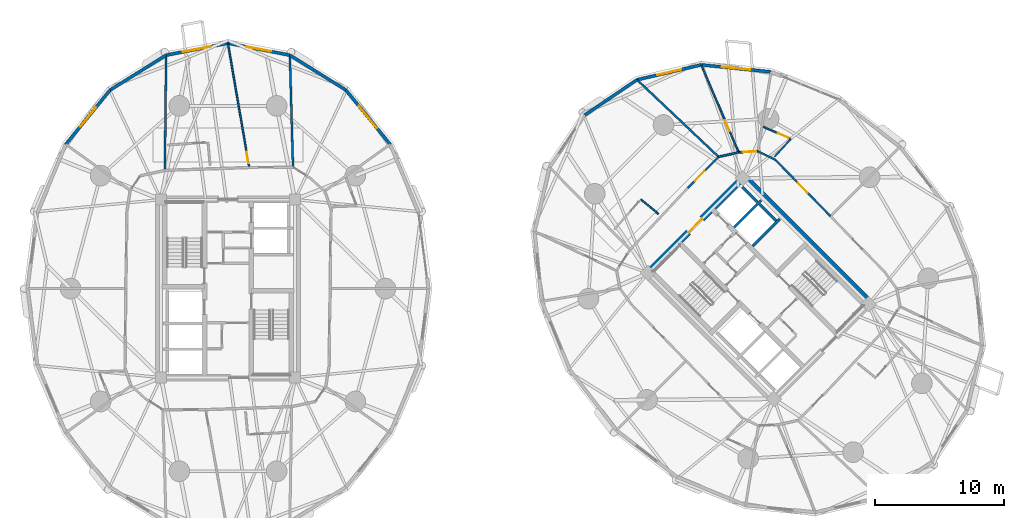
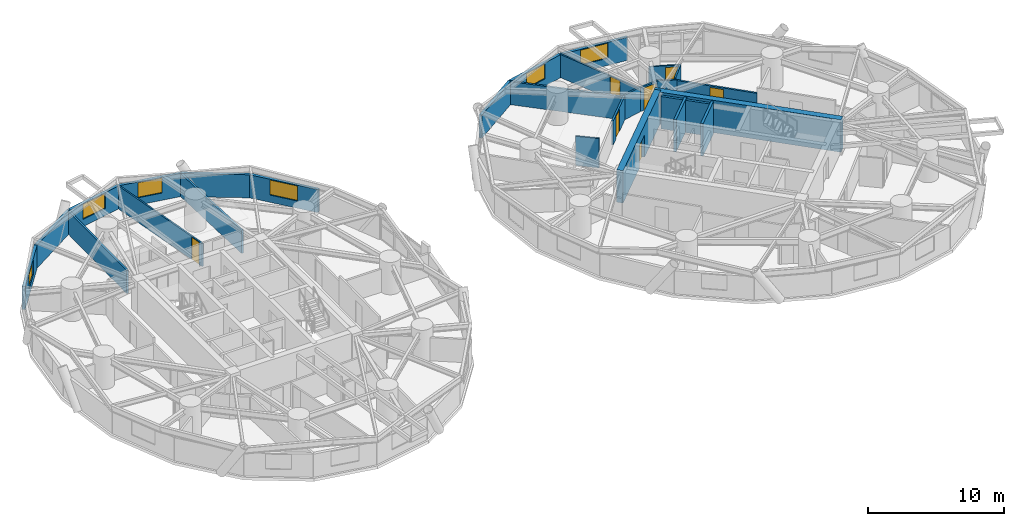
# One storey, part 14 of 18: 28 walls, 7 doors, 6 windows, 13 openings.
"""IFC4 building model written with IfcOpenShell, lengths in metres."""

import ifcopenshell
import ifcopenshell.guid

model = None  # the IFC model being written
_history = None  # IfcOwnerHistory: only IFC2X3 demands one
_inside = {}  # id of a spatial element -> (the spatial element, [elements in it])
_under = {}  # id of a project, library or spatial element -> (it, [spatial elements below it])
_declared = {}  # id of a project -> (the project, [libraries it declares])
_typed = {}  # id of a type object -> (the type object, [elements of that type])
_made_of = {}  # id of a material, layer set ... -> (it, [elements and type objects made of it])


def new_model(schema):
    """Start an empty IFC model of exactly this schema.

    Asked for "IFC4X3", IfcOpenShell would pick the latest addendum, in which some entities
    have other attributes; the version numbers below select the first issue.
    IFC2X3 requires an IfcOwnerHistory on every rooted entity: one is made here for all.
    """
    global model, _history
    if schema == "IFC4X3":
        model = ifcopenshell.file(schema_version=(4, 3, 0, 0))
    else:
        model = ifcopenshell.file(schema=schema)
    _inside.clear()
    _under.clear()
    _declared.clear()
    _typed.clear()
    _made_of.clear()
    _history = None
    if model.schema == "IFC2X3":
        org = make("IfcOrganization", Name="unknown")
        user = make(
            "IfcPersonAndOrganization",
            ThePerson=make("IfcPerson", FamilyName="unknown"),
            TheOrganization=org,
        )
        app = make(
            "IfcApplication",
            ApplicationDeveloper=org,
            Version="unknown",
            ApplicationFullName="unknown",
            ApplicationIdentifier="unknown",
        )
        _history = make(
            "IfcOwnerHistory",
            OwningUser=user,
            OwningApplication=app,
            ChangeAction="ADDED",
            CreationDate=0,
        )
    return model


def make(cls, **values):
    """One entity of the class cls with the attributes given. An attribute that is None is left unset."""
    return model.create_entity(
        cls, **{name: value for name, value in values.items() if value is not None}
    )


def rooted(cls, **values):
    """An entity with a GlobalId (a new one), such as an element, a storey or a relation."""
    return make(cls, GlobalId=ifcopenshell.guid.new(), OwnerHistory=_history, **values)


def si_unit(unit_type, name, prefix=None):
    """IfcSIUnit, for example si_unit("LENGTHUNIT", "METRE", prefix="MILLI")."""
    return make("IfcSIUnit", UnitType=unit_type, Prefix=prefix, Name=name)


def assignment(units):
    """IfcUnitAssignment: the units of a project."""
    return None if units is None else make("IfcUnitAssignment", Units=units)


def point(xyz):
    """IfcCartesianPoint."""
    return None if xyz is None else make("IfcCartesianPoint", Coordinates=xyz)


def direction(xyz):
    """IfcDirection."""
    return None if xyz is None else make("IfcDirection", DirectionRatios=xyz)


def frame(location, z_axis=None, x_axis=None):
    """IfcAxis2Placement3D, a coordinate frame: its origin and axes. An axis left out is left unset."""
    return make(
        "IfcAxis2Placement3D",
        Location=point(location),
        Axis=direction(z_axis),
        RefDirection=direction(x_axis),
    )


def frame_2d(location, x_axis=None):
    """IfcAxis2Placement2D, a coordinate frame in the plane: its origin and x axis."""
    return make(
        "IfcAxis2Placement2D", Location=point(location), RefDirection=direction(x_axis)
    )


def origin():
    """The frame at (0, 0, 0) with its axes left unset."""
    return frame((0.0, 0.0, 0.0))


def place(relative_to, where):
    """IfcLocalPlacement: puts the frame where relative to a parent placement (None: the world)."""
    return make(
        "IfcLocalPlacement", PlacementRelTo=relative_to, RelativePlacement=where
    )


def context(
    kind, dimensions, precision=None, world=None, true_north=None, identifier=None
):
    """IfcGeometricRepresentationContext, for example the 3D "Model" context."""
    return make(
        "IfcGeometricRepresentationContext",
        ContextIdentifier=identifier,
        ContextType=kind,
        CoordinateSpaceDimension=dimensions,
        Precision=precision,
        WorldCoordinateSystem=world,
        TrueNorth=true_north,
    )


def subcontext(parent, identifier, kind, view, scale=None):
    """IfcGeometricRepresentationSubContext, for example "Body" below "Model"."""
    return make(
        "IfcGeometricRepresentationSubContext",
        ContextIdentifier=identifier,
        ContextType=kind,
        ParentContext=parent,
        TargetScale=scale,
        TargetView=view,
    )


def project(units=None, contexts=None):
    """IfcProject with its units and contexts."""
    return rooted(
        "IfcProject",
        Name="project",
        RepresentationContexts=contexts,
        UnitsInContext=assignment(units),
    )


def spatial(cls, under=None, at=None, **own):
    """A site, building, storey or space (cls), placed at a placement, below another one or the project."""
    s = rooted(cls, ObjectPlacement=at, **own)
    if under is not None:
        _under.setdefault(under.id(), (under, []))[1].append(s)
    return s


def profile(cls, at=None, kind="AREA", **sizes):
    """A parametric profile (cls). Its sizes go by their IFC names, for example OverallWidth=200.0."""
    return make(cls, ProfileType=kind, Position=at, **sizes)


def rectangle(**sizes):
    """IfcRectangleProfileDef."""
    return profile("IfcRectangleProfileDef", **sizes)


def extrude(swept, where, along, depth):
    """IfcExtrudedAreaSolid: the profile swept, set in the frame where, extruded along a direction by depth."""
    return make(
        "IfcExtrudedAreaSolid",
        SweptArea=swept,
        Position=where,
        ExtrudedDirection=direction(along),
        Depth=depth,
    )


def shape(context_of_items, identifier, shape_type, items):
    """IfcShapeRepresentation: the items that make up one representation, for example the "Body"."""
    return make(
        "IfcShapeRepresentation",
        ContextOfItems=context_of_items,
        RepresentationIdentifier=identifier,
        RepresentationType=shape_type,
        Items=items,
    )


def source(mapping_origin, context_of_items, identifier, shape_type, items):
    """IfcRepresentationMap: a shape defined once, which mapped items show again and again."""
    return make(
        "IfcRepresentationMap",
        MappingOrigin=mapping_origin,
        MappedRepresentation=shape(context_of_items, identifier, shape_type, items),
    )


def transform(
    local_origin,
    x_axis=None,
    y_axis=None,
    z_axis=None,
    scale=None,
    scale2=None,
    scale3=None,
    uniform=True,
):
    """IfcCartesianTransformationOperator3D, or its non-uniform kind. x_axis, y_axis, z_axis: its Axis1, 2, 3."""
    if uniform:
        return make(
            "IfcCartesianTransformationOperator3D",
            Axis1=direction(x_axis),
            Axis2=direction(y_axis),
            LocalOrigin=point(local_origin),
            Scale=scale,
            Axis3=direction(z_axis),
        )
    return make(
        "IfcCartesianTransformationOperator3DnonUniform",
        Axis1=direction(x_axis),
        Axis2=direction(y_axis),
        LocalOrigin=point(local_origin),
        Scale=scale,
        Axis3=direction(z_axis),
        Scale2=scale2,
        Scale3=scale3,
    )


def mapped(mapping_source, mapping_target):
    """IfcMappedItem: shows the shape of a source again, moved by a transform."""
    return make(
        "IfcMappedItem", MappingSource=mapping_source, MappingTarget=mapping_target
    )


def material(Name=None, Category=None):
    """IfcMaterial."""
    return make("IfcMaterial", Name=Name, Category=Category)


def layer(
    of_material, thickness, ventilated=None, Name=None, Category=None, Priority=None
):
    """IfcMaterialLayer: one layer of a wall or slab, of a material (None: an air gap)."""
    return make(
        "IfcMaterialLayer",
        Material=of_material,
        LayerThickness=thickness,
        IsVentilated=ventilated,
        Name=Name,
        Category=Category,
        Priority=Priority,
    )


def layer_set(layers, Name=None):
    """IfcMaterialLayerSet."""
    return make("IfcMaterialLayerSet", MaterialLayers=layers, LayerSetName=Name)


def made_of(thing, what):
    """Note that an element or type object is made of a material, layer set ...; save() writes the relation."""
    if what is not None:
        _made_of.setdefault(what.id(), (what, []))[1].append(thing)
    return thing


def type_object(cls, material=None, **own):
    """A type object (cls), such as IfcWallType, which elements share."""
    return made_of(rooted(cls, **own), material)


def element(
    cls,
    number,
    at=None,
    inside=None,
    cuts=None,
    type_object=None,
    material=None,
    context=None,
    identifier="Body",
    shape_type=None,
    held_by="IfcProductDefinitionShape",
    body=None,
    shapes=None,
    **own,
):
    """One element of the class cls, such as IfcWall. Its Tag is "e" and its number.

    at: its placement. inside: the storey or other place that contains it. cuts: it is an
    opening in that element (IfcRelVoidsElement). A single representation is given by context,
    identifier, shape_type and body (its items); several are given by shapes. held_by: the class
    of the entity that holds the representations. save() writes the other relations.
    """
    e = rooted(cls, Tag="e%d" % number, ObjectPlacement=at, **own)
    if body is not None:
        shapes = [shape(context, identifier, shape_type, body)]
    if shapes is not None:
        e.Representation = make(held_by, Representations=shapes)
    if inside is not None:
        _inside.setdefault(inside.id(), (inside, []))[1].append(e)
    if cuts is not None:
        rooted(
            "IfcRelVoidsElement", RelatingBuildingElement=cuts, RelatedOpeningElement=e
        )
    if type_object is not None:
        _typed.setdefault(type_object.id(), (type_object, []))[1].append(e)
    return made_of(e, material)


def fill(opening, filler):
    """IfcRelFillsElement: the door or window that sits in an opening."""
    return rooted(
        "IfcRelFillsElement",
        RelatingOpeningElement=opening,
        RelatedBuildingElement=filler,
    )


def aggregate(whole, parts):
    """IfcRelAggregates: a whole, such as a stair, and the parts it consists of."""
    return rooted("IfcRelAggregates", RelatingObject=whole, RelatedObjects=parts)


def save(model, path):
    """Write the relations noted so far, then the file.

    IfcRelAggregates (storeys below a building ...), IfcRelContainedInSpatialStructure (elements
    in a storey), IfcRelDefinesByType, IfcRelAssociatesMaterial and IfcRelDeclares: one each for
    every whole, place, type object, material and project.
    """
    for whole, parts in _under.values():
        aggregate(whole, parts)
    for where, things in _inside.values():
        rooted(
            "IfcRelContainedInSpatialStructure",
            RelatedElements=things,
            RelatingStructure=where,
        )
    for kind, things in _typed.values():
        rooted("IfcRelDefinesByType", RelatedObjects=things, RelatingType=kind)
    for what, things in _made_of.values():
        rooted("IfcRelAssociatesMaterial", RelatedObjects=things, RelatingMaterial=what)
    for by, libraries in _declared.values():
        rooted("IfcRelDeclares", RelatingContext=by, RelatedDefinitions=libraries)
    model.write(path)


model = new_model("IFC4")

# Units and contexts
model_context = context("Model", 3, precision=1e-05, world=origin(), true_north=direction((0.0, 1.0)))
body_context = subcontext(model_context, "Body", "Model", "MODEL_VIEW")
ifc_project = project(units=[si_unit("LENGTHUNIT", "METRE"), si_unit("AREAUNIT", "SQUARE_METRE"), si_unit("VOLUMEUNIT", "CUBIC_METRE"), si_unit("PLANEANGLEUNIT", "RADIAN"), si_unit("MASSUNIT", "GRAM", prefix="KILO")], contexts=[model_context])

# Site, building, storey
site_placement = place(None, origin())
site = spatial("IfcSite", under=ifc_project, at=site_placement, CompositionType="ELEMENT")
building_placement = place(site_placement, origin())
building = spatial("IfcBuilding", under=site, at=building_placement, Name="Cununo Teusaquillo Station Towers", CompositionType="ELEMENT")
storey_placement = place(building_placement, frame((0.0, 0.0, 36.550048828125)))
storey = spatial("IfcBuildingStorey", under=building, at=storey_placement, Name="L10", CompositionType="ELEMENT", Elevation=36.550048828125)

# Walls
ifc_material_1 = material(Name="Concrete C50/60", Category="concrete")
ifc_layer_1 = layer(ifc_material_1, 0.199951171875)
ifc_layer_set_1 = layer_set([ifc_layer_1], Name="Concrete C50/60")
wall_type_1 = type_object("IfcWallType", Name="WL-CORE-200", PredefinedType="SHEAR", material=ifc_layer_set_1)
wall_1_placement = place(storey_placement, frame((57.0615234375, 27.781005859375, 0.0), z_axis=(0.0, 0.0, 1.0), x_axis=(0.707106781187, 0.707106781187, 0.0)))
element("IfcWall", 1, at=wall_1_placement, inside=storey, type_object=wall_type_1, Name="L10 Tower B Low-Rise Lift Hoistway South Shear Wall", PredefinedType="SHEAR", context=body_context, shape_type="SweptSolid", body=[
    extrude(rectangle(XDim=2.969970703125, YDim=0.199951171875, at=frame_2d((1.48486328125, 0.0))), origin(), (0.0, 0.0, 1.0), 2.909912109375),
])
wall_2_placement = place(storey_placement, frame((55.615478515625, 29.22705078125, 0.0), z_axis=(0.0, 0.0, 1.0), x_axis=(0.707147878904, 0.70706568108, 0.0)))
element("IfcWall", 2, at=wall_2_placement, inside=storey, type_object=wall_type_1, Name="L10 Tower B Low-Rise Lift Hoistway Divider Shear Wall", PredefinedType="SHEAR", context=body_context, shape_type="SweptSolid", body=[
    extrude(rectangle(XDim=2.97021484375, YDim=0.199951171875, at=frame_2d((1.485107421875, 0.0))), origin(), (0.0, 0.0, 1.0), 2.909912109375),
])
wall_3_placement = place(storey_placement, frame((58.86474609375, 29.75390625, 0.0), z_axis=(0.0, 0.0, 1.0), x_axis=(-0.707174411312, 0.707039144592, 0.0)))
element("IfcWall", 3, at=wall_3_placement, inside=storey, type_object=wall_type_1, Name="L10 Tower B Low-Rise Lift 1 Shaft Rear Shear Wall", PredefinedType="SHEAR", context=body_context, shape_type="SweptSolid", body=[
    extrude(rectangle(XDim=1.804931640625, YDim=0.199951171875, at=frame_2d((0.90234375, 0.0))), origin(), (0.0, 0.0, 1.0), 2.909912109375),
])
wall_4_placement = place(storey_placement, frame((57.418701171875, 31.19970703125, 0.0), z_axis=(0.0, 0.0, 1.0), x_axis=(-0.707032117043, 0.707181437447, 0.0)))
element("IfcWall", 4, at=wall_4_placement, inside=storey, type_object=wall_type_1, Name="L10 Tower B Low-Rise Lift 2 Shaft Rear Shear Wall", PredefinedType="SHEAR", context=body_context, shape_type="SweptSolid", body=[
    extrude(rectangle(XDim=1.635009765625, YDim=0.199951171875, at=frame_2d((0.8173828125, 0.0))), origin(), (0.0, 0.0, 1.0), 2.909912109375),
])
ifc_material_2 = material(Name="Concrete C60/75", Category="concrete")
ifc_layer_2 = layer(ifc_material_2, 0.5)
ifc_layer_set_2 = layer_set([ifc_layer_2], Name="Concrete C60/75")
wall_type_2 = type_object("IfcWallType", Name="WL-CORE-500", PredefinedType="SHEAR", material=ifc_layer_set_2)
wall_5_placement = place(storey_placement, frame((66.3388671875, 23.227294921875, 0.0), z_axis=(0.0, 0.0, 1.0), x_axis=(-0.707106781187, 0.707106781187, 0.0)))
element("IfcWall", 5, at=wall_5_placement, inside=storey, type_object=wall_type_2, Name="L10 Tower B Core Shear Wall E", PredefinedType="SHEAR", context=body_context, shape_type="SweptSolid", body=[
    extrude(rectangle(XDim=14.2998046875, YDim=0.5, at=frame_2d((7.14990234375, 0.0))), origin(), (0.0, 0.0, 1.0), 2.909912109375),
])

# Wall, opening, door
wall_6_placement = place(storey_placement, frame((48.837890625, 25.595947265625, 0.0), z_axis=(0.0, 0.0, 1.0), x_axis=(0.707106781187, 0.707106781187, 0.0)))
wall_6 = element("IfcWall", 6, at=wall_6_placement, inside=storey, type_object=wall_type_2, Name="L10 Tower B Core Shear Wall N", PredefinedType="SHEAR", context=body_context, shape_type="SweptSolid", body=[
    extrude(rectangle(XDim=10.7001953125, YDim=0.5, at=frame_2d((5.35009765625, 0.0))), origin(), (0.0, 0.0, 1.0), 2.909912109375),
])
shared_shape_1 = source(origin(), body_context, "Body", "SweptSolid", [
    extrude(rectangle(XDim=1.5, YDim=2.02001953125, at=frame_2d((0.75, 1.010009765625))), frame((0.0, 0.260009765625, 0.0), z_axis=(0.0, -1.0, 0.0), x_axis=(1.0, 0.0, 0.0)), (0.0, 0.0, 1.0), 0.52001953125),
])
opening_1_placement = place(wall_6_placement, frame((4.60009765625, 0.0, 0.0)))
opening_1 = element("IfcOpeningElement", 7, at=opening_1_placement, cuts=wall_6, Name="Opening D-LB1", PredefinedType="OPENING", context=body_context, shape_type="MappedRepresentation", body=[
    mapped(shared_shape_1, transform((0.0, 0.0, 0.0), x_axis=(1.0, 0.0, 0.0), y_axis=(0.0, 1.0, 0.0), z_axis=(0.0, 0.0, 1.0), scale=1.0)),
])
ifc_material_3 = material(Name="Galvanised fire-rated hollow steel door assembly", Category="steel")
door_type_1 = type_object("IfcDoorType", Name="DR-LOBBY-1500", OperationType="DOUBLE_DOOR_SINGLE_SWING", PredefinedType="DOOR", material=ifc_material_3)
shared_shape_2 = source(origin(), body_context, "Body", "SweptSolid", [
    extrude(rectangle(XDim=1.5, YDim=2.02001953125, at=frame_2d((0.75, 1.010009765625))), frame((0.0, 0.02490234375, 0.0), z_axis=(0.0, -1.0, 0.0), x_axis=(1.0, 0.0, 0.0)), (0.0, 0.0, 1.0), 0.050048828125),
])
door_1_placement = place(opening_1_placement, origin())
door_1 = element("IfcDoor", 8, at=door_1_placement, inside=storey, type_object=door_type_1, Name="L10 Tower B North Core Lift Lobby Door", OperationType="DOUBLE_DOOR_SINGLE_SWING", OverallHeight=2.02001953125, OverallWidth=1.5, PredefinedType="DOOR", context=body_context, shape_type="MappedRepresentation", body=[
    mapped(shared_shape_2, transform((0.0, 0.0, 0.0), x_axis=(1.0, 0.0, 0.0), y_axis=(0.0, 1.0, 0.0), z_axis=(0.0, 0.0, 1.0), scale=1.0)),
])
fill(opening_1, door_1)

# Wall, opening, window
ifc_material_4 = material(Name="Precast concrete C40/50", Category="concrete")
ifc_layer_3 = layer(ifc_material_4, 0.239990234375)
ifc_layer_set_3 = layer_set([ifc_layer_3], Name="Precast concrete C40/50")
wall_type_3 = type_object("IfcWallType", Name="WL-EXT-240", PredefinedType="SOLIDWALL", material=ifc_layer_set_3)
wall_7_placement = place(storey_placement, frame((25.610107421875, 39.84716796875, 0.0), z_axis=(0.0, 0.0, 1.0), x_axis=(0.632710215588, -0.774388651189, 0.0)))
wall_7 = element("IfcWall", 9, at=wall_7_placement, inside=storey, type_object=wall_type_3, Name="L10 Tower A Exterior Facade Wall C02", PredefinedType="SOLIDWALL", context=body_context, shape_type="SweptSolid", body=[
    extrude(rectangle(XDim=5.41943359375, YDim=0.239990234375, at=frame_2d((2.709716796875, 0.0))), origin(), (0.0, 0.0, 1.0), 2.072998046875),
])
shared_shape_3 = source(origin(), body_context, "Body", "SweptSolid", [
    extrude(rectangle(XDim=2.199951171875, YDim=1.35009765625, at=frame_2d((1.10009765625, 0.675048828125))), frame((0.0, 0.1298828125, 0.0), z_axis=(0.0, -1.0, 0.0), x_axis=(1.0, 0.0, 0.0)), (0.0, 0.0, 1.0), 0.260009765625),
])
opening_2_placement = place(wall_7_placement, frame((1.610107421875, 0.0, 0.64990234375)))
opening_2 = element("IfcOpeningElement", 10, at=opening_2_placement, cuts=wall_7, Name="Opening WN-01", PredefinedType="OPENING", context=body_context, shape_type="MappedRepresentation", body=[
    mapped(shared_shape_3, transform((0.0, 0.0, 0.0), x_axis=(1.0, 0.0, 0.0), y_axis=(0.0, 1.0, 0.0), z_axis=(0.0, 0.0, 1.0), scale=1.0)),
])
ifc_material_5 = material(Name="Ceramic-fritted dark low-E double glazing", Category="glass")
window_type_1 = type_object("IfcWindowType", Name="WIN-FRIT-2200", PartitioningType="DOUBLE_PANEL_VERTICAL", PredefinedType="WINDOW", material=ifc_material_5)
shared_shape_4 = source(origin(), body_context, "Body", "SweptSolid", [
    extrude(rectangle(XDim=2.199951171875, YDim=1.35009765625, at=frame_2d((1.10009765625, 0.675048828125))), frame((0.0, 0.030029296875, 0.0), z_axis=(0.0, -1.0, 0.0), x_axis=(1.0, 0.0, 0.0)), (0.0, 0.0, 1.0), 0.06005859375),
])
window_1_placement = place(opening_2_placement, origin())
window_1 = element("IfcWindow", 11, at=window_1_placement, inside=storey, type_object=window_type_1, Name="L10 Tower A Facade Window C02", OverallHeight=1.35009765625, OverallWidth=2.199951171875, PartitioningType="DOUBLE_PANEL_VERTICAL", PredefinedType="WINDOW", context=body_context, shape_type="MappedRepresentation", body=[
    mapped(shared_shape_4, transform((0.0, 0.0, 0.0), x_axis=(1.0, 0.0, 0.0), y_axis=(0.0, 1.0, 0.0), z_axis=(0.0, 0.0, 1.0), scale=1.0)),
])
fill(opening_2, window_1)

# Wall
wall_8_placement = place(storey_placement, frame((21.28955078125, 42.54150390625, 0.0), z_axis=(0.0, 0.0, 1.0), x_axis=(0.848528534887, -0.529149624853, 0.0)))
element("IfcWall", 12, at=wall_8_placement, inside=storey, type_object=wall_type_3, Name="L10 Tower A Exterior Facade Wall C03", PredefinedType="SOLIDWALL", context=body_context, shape_type="SweptSolid", body=[
    extrude(rectangle(XDim=5.091796875, YDim=0.239990234375, at=frame_2d((2.5458984375, 0.0))), origin(), (0.0, 0.0, 1.0), 2.072998046875),
])

# Wall, opening, window
wall_9_placement = place(storey_placement, frame((16.5, 43.469970703125, 0.0), z_axis=(0.0, 0.0, 1.0), x_axis=(0.981724094622, -0.190309752872, 0.0)))
wall_9 = element("IfcWall", 13, at=wall_9_placement, inside=storey, type_object=wall_type_3, Name="L10 Tower A Exterior Facade Wall C04", PredefinedType="SOLIDWALL", context=body_context, shape_type="SweptSolid", body=[
    extrude(rectangle(XDim=4.878662109375, YDim=0.239990234375, at=frame_2d((2.439453125, 0.0))), origin(), (0.0, 0.0, 1.0), 2.072998046875),
])
shared_shape_5 = source(origin(), body_context, "Body", "SweptSolid", [
    extrude(rectangle(XDim=1.89990234375, YDim=1.35009765625, at=frame_2d((0.949951171875, 0.675048828125))), frame((0.0, 0.1298828125, 0.0), z_axis=(0.0, -1.0, 0.0), x_axis=(1.0, 0.0, 0.0)), (0.0, 0.0, 1.0), 0.260009765625),
])
opening_3_placement = place(wall_9_placement, frame((1.489013671875, 0.0, 0.64990234375)))
opening_3 = element("IfcOpeningElement", 14, at=opening_3_placement, cuts=wall_9, Name="Opening WN-02", PredefinedType="OPENING", context=body_context, shape_type="MappedRepresentation", body=[
    mapped(shared_shape_5, transform((0.0, 0.0, 0.0), x_axis=(1.0, 0.0, 0.0), y_axis=(0.0, 1.0, 0.0), z_axis=(0.0, 0.0, 1.0), scale=1.0)),
])
ifc_material_6 = material(Name="Operable acoustic tinted low-E double glazing", Category="glass")
window_type_2 = type_object("IfcWindowType", Name="WIN-OPER-1900", PartitioningType="DOUBLE_PANEL_VERTICAL", PredefinedType="WINDOW", material=ifc_material_6)
shared_shape_6 = source(origin(), body_context, "Body", "SweptSolid", [
    extrude(rectangle(XDim=1.89990234375, YDim=1.35009765625, at=frame_2d((0.949951171875, 0.675048828125))), frame((0.0, 0.030029296875, 0.0), z_axis=(0.0, -1.0, 0.0), x_axis=(1.0, 0.0, 0.0)), (0.0, 0.0, 1.0), 0.06005859375),
])
window_2_placement = place(opening_3_placement, origin())
window_2 = element("IfcWindow", 15, at=window_2_placement, inside=storey, type_object=window_type_2, Name="L10 Tower A Facade Window C04", OverallHeight=1.35009765625, OverallWidth=1.89990234375, PartitioningType="DOUBLE_PANEL_VERTICAL", PredefinedType="WINDOW", context=body_context, shape_type="MappedRepresentation", body=[
    mapped(shared_shape_6, transform((0.0, 0.0, 0.0), x_axis=(1.0, 0.0, 0.0), y_axis=(0.0, 1.0, 0.0), z_axis=(0.0, 0.0, 1.0), scale=1.0)),
])
fill(opening_3, window_2)

wall_10_placement = place(storey_placement, frame((11.71044921875, 42.54150390625, 0.0), z_axis=(0.0, 0.0, 1.0), x_axis=(0.981724094622, 0.190309752872, 0.0)))
wall_10 = element("IfcWall", 16, at=wall_10_placement, inside=storey, type_object=wall_type_3, Name="L10 Tower A Exterior Facade Wall C05", PredefinedType="SOLIDWALL", context=body_context, shape_type="SweptSolid", body=[
    extrude(rectangle(XDim=4.878662109375, YDim=0.239990234375, at=frame_2d((2.439453125, 0.0))), origin(), (0.0, 0.0, 1.0), 2.072998046875),
])
opening_4_placement = place(wall_10_placement, frame((1.339111328125, 0.0, 0.64990234375)))
opening_4 = element("IfcOpeningElement", 17, at=opening_4_placement, cuts=wall_10, Name="Opening WN-01", PredefinedType="OPENING", context=body_context, shape_type="MappedRepresentation", body=[
    mapped(shared_shape_3, transform((0.0, 0.0, 0.0), x_axis=(1.0, 0.0, 0.0), y_axis=(0.0, 1.0, 0.0), z_axis=(0.0, 0.0, 1.0), scale=1.0)),
])
window_3_placement = place(opening_4_placement, origin())
window_3 = element("IfcWindow", 18, at=window_3_placement, inside=storey, type_object=window_type_1, Name="L10 Tower A Facade Window C05", OverallHeight=1.35009765625, OverallWidth=2.199951171875, PartitioningType="DOUBLE_PANEL_VERTICAL", PredefinedType="WINDOW", context=body_context, shape_type="MappedRepresentation", body=[
    mapped(shared_shape_4, transform((0.0, 0.0, 0.0), x_axis=(1.0, 0.0, 0.0), y_axis=(0.0, 1.0, 0.0), z_axis=(0.0, 0.0, 1.0), scale=1.0)),
])
fill(opening_4, window_3)

# Wall
wall_11_placement = place(storey_placement, frame((7.389892578125, 39.84716796875, 0.0), z_axis=(0.0, 0.0, 1.0), x_axis=(0.848528534887, 0.529149624853, 0.0)))
element("IfcWall", 19, at=wall_11_placement, inside=storey, type_object=wall_type_3, Name="L10 Tower A Exterior Facade Wall C06", PredefinedType="SOLIDWALL", context=body_context, shape_type="SweptSolid", body=[
    extrude(rectangle(XDim=5.091796875, YDim=0.239990234375, at=frame_2d((2.5458984375, 0.0))), origin(), (0.0, 0.0, 1.0), 2.072998046875),
])

# Wall, opening, window
wall_12_placement = place(storey_placement, frame((3.9609375, 35.650390625, 0.0), z_axis=(0.0, 0.0, 1.0), x_axis=(0.632710215588, 0.774388651189, 0.0)))
wall_12 = element("IfcWall", 20, at=wall_12_placement, inside=storey, type_object=wall_type_3, Name="L10 Tower A Exterior Facade Wall C07", PredefinedType="SOLIDWALL", context=body_context, shape_type="SweptSolid", body=[
    extrude(rectangle(XDim=5.41943359375, YDim=0.239990234375, at=frame_2d((2.709716796875, 0.0))), origin(), (0.0, 0.0, 1.0), 2.072998046875),
])
opening_5_placement = place(wall_12_placement, frame((1.760009765625, 0.0, 0.64990234375)))
opening_5 = element("IfcOpeningElement", 21, at=opening_5_placement, cuts=wall_12, Name="Opening WN-02", PredefinedType="OPENING", context=body_context, shape_type="MappedRepresentation", body=[
    mapped(shared_shape_5, transform((0.0, 0.0, 0.0), x_axis=(1.0, 0.0, 0.0), y_axis=(0.0, 1.0, 0.0), z_axis=(0.0, 0.0, 1.0), scale=1.0)),
])
window_4_placement = place(opening_5_placement, origin())
window_4 = element("IfcWindow", 22, at=window_4_placement, inside=storey, type_object=window_type_2, Name="L10 Tower A Facade Window C07", OverallHeight=1.35009765625, OverallWidth=1.89990234375, PartitioningType="DOUBLE_PANEL_VERTICAL", PredefinedType="WINDOW", context=body_context, shape_type="MappedRepresentation", body=[
    mapped(shared_shape_6, transform((0.0, 0.0, 0.0), x_axis=(1.0, 0.0, 0.0), y_axis=(0.0, 1.0, 0.0), z_axis=(0.0, 0.0, 1.0), scale=1.0)),
])
fill(opening_5, window_4)

wall_13_placement = place(storey_placement, frame((53.08984375, 41.7939453125, 0.0), z_axis=(0.0, 0.0, 1.0), x_axis=(0.994968263437, -0.100190592135, 0.0)))
wall_13 = element("IfcWall", 23, at=wall_13_placement, inside=storey, type_object=wall_type_3, Name="L10 Tower B Exterior Facade Wall C02", PredefinedType="SOLIDWALL", context=body_context, shape_type="SweptSolid", body=[
    extrude(rectangle(XDim=5.41943359375, YDim=0.239990234375, at=frame_2d((2.709716796875, 0.0))), origin(), (0.0, 0.0, 1.0), 2.072998046875),
])
opening_6_placement = place(wall_13_placement, frame((1.610107421875, 0.0, 0.64990234375)))
opening_6 = element("IfcOpeningElement", 24, at=opening_6_placement, cuts=wall_13, Name="Opening WN-01", PredefinedType="OPENING", context=body_context, shape_type="MappedRepresentation", body=[
    mapped(shared_shape_3, transform((0.0, 0.0, 0.0), x_axis=(1.0, 0.0, 0.0), y_axis=(0.0, 1.0, 0.0), z_axis=(0.0, 0.0, 1.0), scale=1.0)),
])
window_5_placement = place(opening_6_placement, origin())
window_5 = element("IfcWindow", 25, at=window_5_placement, inside=storey, type_object=window_type_1, Name="L10 Tower B Facade Window C02", OverallHeight=1.35009765625, OverallWidth=2.199951171875, PartitioningType="DOUBLE_PANEL_VERTICAL", PredefinedType="WINDOW", context=body_context, shape_type="MappedRepresentation", body=[
    mapped(shared_shape_4, transform((0.0, 0.0, 0.0), x_axis=(1.0, 0.0, 0.0), y_axis=(0.0, 1.0, 0.0), z_axis=(0.0, 0.0, 1.0), scale=1.0)),
])
fill(opening_6, window_5)

wall_14_placement = place(storey_placement, frame((48.12939453125, 40.64404296875, 0.0), z_axis=(0.0, 0.0, 1.0), x_axis=(0.974167686491, 0.22582585901, 0.0)))
wall_14 = element("IfcWall", 26, at=wall_14_placement, inside=storey, type_object=wall_type_3, Name="L10 Tower B Exterior Facade Wall C03", PredefinedType="SOLIDWALL", context=body_context, shape_type="SweptSolid", body=[
    extrude(rectangle(XDim=5.092041015625, YDim=0.239990234375, at=frame_2d((2.5458984375, 0.0))), origin(), (0.0, 0.0, 1.0), 2.072998046875),
])
opening_7_placement = place(wall_14_placement, frame((1.595947265625, 0.0, 0.64990234375)))
opening_7 = element("IfcOpeningElement", 27, at=opening_7_placement, cuts=wall_14, Name="Opening WN-02", PredefinedType="OPENING", context=body_context, shape_type="MappedRepresentation", body=[
    mapped(shared_shape_5, transform((0.0, 0.0, 0.0), x_axis=(1.0, 0.0, 0.0), y_axis=(0.0, 1.0, 0.0), z_axis=(0.0, 0.0, 1.0), scale=1.0)),
])
window_6_placement = place(opening_7_placement, origin())
window_6 = element("IfcWindow", 28, at=window_6_placement, inside=storey, type_object=window_type_2, Name="L10 Tower B Facade Window C03", OverallHeight=1.35009765625, OverallWidth=1.89990234375, PartitioningType="DOUBLE_PANEL_VERTICAL", PredefinedType="WINDOW", context=body_context, shape_type="MappedRepresentation", body=[
    mapped(shared_shape_6, transform((0.0, 0.0, 0.0), x_axis=(1.0, 0.0, 0.0), y_axis=(0.0, 1.0, 0.0), z_axis=(0.0, 0.0, 1.0), scale=1.0)),
])
fill(opening_7, window_6)

# Wall
wall_15_placement = place(storey_placement, frame((44.086181640625, 37.913818359375, 0.0), z_axis=(0.0, 0.0, 1.0), x_axis=(0.828748297084, 0.559621532896, 0.0)))
element("IfcWall", 29, at=wall_15_placement, inside=storey, type_object=wall_type_3, Name="L10 Tower B Exterior Facade Wall C04", PredefinedType="SOLIDWALL", context=body_context, shape_type="SweptSolid", body=[
    extrude(rectangle(XDim=4.878662109375, YDim=0.239990234375, at=frame_2d((2.439453125, 0.0))), origin(), (0.0, 0.0, 1.0), 2.072998046875),
])

# Wall, opening, door
ifc_material_7 = material(Name="Fire-rated gypsum plasterboard partition assembly", Category="gypsum")
ifc_layer_4 = layer(ifc_material_7, 0.125)
ifc_layer_set_4 = layer_set([ifc_layer_4], Name="Fire-rated gypsum plasterboard partition assembly")
wall_type_4 = type_object("IfcWallType", Name="WL-PART-125", PredefinedType="PARTITIONING", material=ifc_layer_set_4)
wall_16_placement = place(storey_placement, frame((18.142822265625, 33.859619140625, 0.0), z_axis=(0.0, 0.0, 1.0), x_axis=(-0.168840545196, 0.985643378864, 0.0)))
wall_16 = element("IfcWall", 30, at=wall_16_placement, inside=storey, type_object=wall_type_4, Name="L10 Tower A Executive Corner Hotel Suite Suite Subdividing Wall", PredefinedType="PARTITIONING", context=body_context, shape_type="SweptSolid", body=[
    extrude(rectangle(XDim=9.72998046875, YDim=0.125, at=frame_2d((4.864990234375, 0.0))), origin(), (0.0, 0.0, 1.0), 2.072998046875),
])
shared_shape_7 = source(origin(), body_context, "Body", "SweptSolid", [
    extrude(rectangle(XDim=0.89990234375, YDim=2.0048828125, at=frame_2d((0.449951171875, 1.00244140625))), frame((0.0, 0.072509765625, 0.0), z_axis=(0.0, -1.0, 0.0), x_axis=(1.0, 0.0, 0.0)), (0.0, 0.0, 1.0), 0.14501953125),
])
opening_8_placement = place(wall_16_placement, frame((0.330078125, 0.0, 0.0)))
opening_8 = element("IfcOpeningElement", 31, at=opening_8_placement, cuts=wall_16, Name="Opening D-IN1", PredefinedType="OPENING", context=body_context, shape_type="MappedRepresentation", body=[
    mapped(shared_shape_7, transform((0.0, 0.0, 0.0), x_axis=(1.0, 0.0, 0.0), y_axis=(0.0, 1.0, 0.0), z_axis=(0.0, 0.0, 1.0), scale=1.0)),
])
ifc_material_8 = material(Name="Acoustic solid-core hardwood leaf assembly", Category="wood")
door_type_2 = type_object("IfcDoorType", Name="DR-INT-900", OperationType="NOTDEFINED", PredefinedType="DOOR", material=ifc_material_8)
shared_shape_8 = source(origin(), body_context, "Body", "SweptSolid", [
    extrude(rectangle(XDim=0.89990234375, YDim=2.0048828125, at=frame_2d((0.449951171875, 1.00244140625))), frame((0.0, 0.02490234375, 0.0), z_axis=(0.0, -1.0, 0.0), x_axis=(1.0, 0.0, 0.0)), (0.0, 0.0, 1.0), 0.050048828125),
])
door_2_placement = place(opening_8_placement, origin())
door_2 = element("IfcDoor", 32, at=door_2_placement, inside=storey, type_object=door_type_2, Name="L10 Tower A Executive Corner Hotel Suite Suite Connecting Door", OperationType="SINGLE_SWING_LEFT", OverallHeight=2.0048828125, OverallWidth=0.89990234375, PredefinedType="DOOR", context=body_context, shape_type="MappedRepresentation", body=[
    mapped(shared_shape_8, transform((0.0, 0.0, 0.0), x_axis=(1.0, 0.0, 0.0), y_axis=(0.0, 1.0, 0.0), z_axis=(0.0, 0.0, 1.0), scale=1.0)),
])
fill(opening_8, door_2)

wall_17_placement = place(storey_placement, frame((55.98388671875, 35.035400390625, 0.0), z_axis=(0.0, 0.0, 1.0), x_axis=(-0.394244760106, 0.919005478291, 0.0)))
wall_17 = element("IfcWall", 33, at=wall_17_placement, inside=storey, type_object=wall_type_4, Name="L10 Tower B Hotel Club Breakfast Lounge Suite Subdividing Wall", PredefinedType="PARTITIONING", context=body_context, shape_type="SweptSolid", body=[
    extrude(rectangle(XDim=7.332763671875, YDim=0.125, at=frame_2d((3.66650390625, 0.0))), origin(), (0.0, 0.0, 1.0), 2.072998046875),
])
opening_9_placement = place(wall_17_placement, frame((1.800048828125, 0.0, 0.0)))
opening_9 = element("IfcOpeningElement", 34, at=opening_9_placement, cuts=wall_17, Name="Opening D-IN1", PredefinedType="OPENING", context=body_context, shape_type="MappedRepresentation", body=[
    mapped(shared_shape_7, transform((0.0, 0.0, 0.0), x_axis=(1.0, 0.0, 0.0), y_axis=(0.0, 1.0, 0.0), z_axis=(0.0, 0.0, 1.0), scale=1.0)),
])
door_3_placement = place(opening_9_placement, origin())
door_3 = element("IfcDoor", 35, at=door_3_placement, inside=storey, type_object=door_type_2, Name="L10 Tower B Hotel Club Breakfast Lounge Suite Connecting Door", OperationType="SINGLE_SWING_LEFT", OverallHeight=2.0048828125, OverallWidth=0.89990234375, PredefinedType="DOOR", context=body_context, shape_type="MappedRepresentation", body=[
    mapped(shared_shape_8, transform((0.0, 0.0, 0.0), x_axis=(1.0, 0.0, 0.0), y_axis=(0.0, 1.0, 0.0), z_axis=(0.0, 0.0, 1.0), scale=1.0)),
])
fill(opening_9, door_3)

# Walls
wall_18_placement = place(storey_placement, frame((49.77978515625, 30.264404296875, 0.0), z_axis=(0.0, 0.0, 1.0), x_axis=(-0.768209972595, 0.640197967824, 0.0)))
element("IfcWall", 36, at=wall_18_placement, inside=storey, type_object=wall_type_4, Name="L10 Tower B S02 En-suite Side Wall", PredefinedType="PARTITIONING", context=body_context, shape_type="SweptSolid", body=[
    extrude(rectangle(XDim=1.769775390625, YDim=0.125, at=frame_2d((0.884765625, 0.0))), origin(), (0.0, 0.0, 1.0), 2.635009765625),
])
wall_19_placement = place(storey_placement, frame((58.755615234375, 34.69384765625, 0.0), z_axis=(0.0, 0.0, 1.0), x_axis=(0.675641726749, 0.73723012491, 0.0)))
element("IfcWall", 37, at=wall_19_placement, inside=storey, type_object=wall_type_4, Name="L10 Tower B S10 En-suite Side Wall", PredefinedType="PARTITIONING", context=body_context, shape_type="SweptSolid", body=[
    extrude(rectangle(XDim=1.8671875, YDim=0.125, at=frame_2d((0.93359375, 0.0))), origin(), (0.0, 0.0, 1.0), 2.204833984375),
])

# Wall, opening, door
wall_20_placement = place(storey_placement, frame((59.952392578125, 36.0986328125, 0.0), z_axis=(0.0, 0.0, 1.0), x_axis=(-0.915914750605, 0.401372856113, 0.0)))
wall_20 = element("IfcWall", 38, at=wall_20_placement, inside=storey, type_object=wall_type_4, Name="L10 Tower B S10 En-suite Back Wall", PredefinedType="PARTITIONING", context=body_context, shape_type="SweptSolid", body=[
    extrude(rectangle(XDim=2.26513671875, YDim=0.125, at=frame_2d((1.132568359375, 0.0))), origin(), (0.0, 0.0, 1.0), 2.158935546875),
])
opening_10_placement = place(wall_20_placement, frame((0.1201171875, 0.0, 0.0)))
opening_10 = element("IfcOpeningElement", 39, at=opening_10_placement, cuts=wall_20, Name="Opening D-IN1", PredefinedType="OPENING", context=body_context, shape_type="MappedRepresentation", body=[
    mapped(shared_shape_7, transform((0.0, 0.0, 0.0), x_axis=(1.0, 0.0, 0.0), y_axis=(0.0, 1.0, 0.0), z_axis=(0.0, 0.0, 1.0), scale=1.0)),
])
door_4_placement = place(opening_10_placement, origin())
door_4 = element("IfcDoor", 40, at=door_4_placement, inside=storey, type_object=door_type_2, Name="L10 Tower B S10 En-suite Bathroom Door", OperationType="SINGLE_SWING_LEFT", OverallHeight=2.0048828125, OverallWidth=0.89990234375, PredefinedType="DOOR", context=body_context, shape_type="MappedRepresentation", body=[
    mapped(shared_shape_8, transform((0.0, 0.0, 0.0), x_axis=(1.0, 0.0, 0.0), y_axis=(0.0, 1.0, 0.0), z_axis=(0.0, 0.0, 1.0), scale=1.0)),
])
fill(opening_10, door_4)

ifc_material_9 = material(Name="Fire-rated gypsum plasterboard partition assembly", Category="gypsum")
ifc_layer_5 = layer(ifc_material_9, 0.14990234375)
ifc_layer_set_5 = layer_set([ifc_layer_5], Name="Fire-rated gypsum plasterboard partition assembly")
wall_type_5 = type_object("IfcWallType", Name="WL-PART-150", PredefinedType="PARTITIONING", material=ifc_layer_set_5)
wall_21_placement = place(storey_placement, frame((63.086181640625, 30.086181640625, 0.0), z_axis=(0.0, 0.0, 1.0), x_axis=(-0.699075897379, 0.715047473741, 0.0)))
wall_21 = element("IfcWall", 41, at=wall_21_placement, inside=storey, type_object=wall_type_5, Name="L10 Tower B Corridor Ring Wall C00", PredefinedType="PARTITIONING", context=body_context, shape_type="SweptSolid", body=[
    extrude(rectangle(XDim=6.1142578125, YDim=0.14990234375, at=frame_2d((3.05712890625, 0.0))), origin(), (0.0, 0.0, 1.0), 2.158935546875),
])
shared_shape_9 = source(origin(), body_context, "Body", "SweptSolid", [
    extrude(rectangle(XDim=1.050048828125, YDim=2.014892578125, at=frame_2d((0.52490234375, 1.00732421875))), frame((0.0, 0.0849609375, 0.0), z_axis=(0.0, -1.0, 0.0), x_axis=(1.0, 0.0, 0.0)), (0.0, 0.0, 1.0), 0.169921875),
])
opening_11_placement = place(wall_21_placement, frame((2.5322265625, 0.0, 0.0)))
opening_11 = element("IfcOpeningElement", 42, at=opening_11_placement, cuts=wall_21, Name="Opening D-SU1", PredefinedType="OPENING", context=body_context, shape_type="MappedRepresentation", body=[
    mapped(shared_shape_9, transform((0.0, 0.0, 0.0), x_axis=(1.0, 0.0, 0.0), y_axis=(0.0, 1.0, 0.0), z_axis=(0.0, 0.0, 1.0), scale=1.0)),
])
ifc_material_10 = material(Name="Acoustic solid-core hardwood leaf assembly", Category="wood")
door_type_3 = type_object("IfcDoorType", Name="DR-SUITE-1050", OperationType="NOTDEFINED", PredefinedType="DOOR", material=ifc_material_10)
shared_shape_10 = source(origin(), body_context, "Body", "SweptSolid", [
    extrude(rectangle(XDim=1.050048828125, YDim=2.014892578125, at=frame_2d((0.52490234375, 1.00732421875))), frame((0.0, 0.02490234375, 0.0), z_axis=(0.0, -1.0, 0.0), x_axis=(1.0, 0.0, 0.0)), (0.0, 0.0, 1.0), 0.050048828125),
])
door_5_placement = place(opening_11_placement, origin())
door_5 = element("IfcDoor", 43, at=door_5_placement, inside=storey, type_object=door_type_3, Name="L10 Tower B Premier Corner Hotel Suite Entrance Door", OperationType="SINGLE_SWING_RIGHT", OverallHeight=2.014892578125, OverallWidth=1.050048828125, PredefinedType="DOOR", context=body_context, shape_type="MappedRepresentation", body=[
    mapped(shared_shape_10, transform((0.0, 0.0, 0.0), x_axis=(1.0, 0.0, 0.0), y_axis=(0.0, 1.0, 0.0), z_axis=(0.0, 0.0, 1.0), scale=1.0)),
])
fill(opening_11, door_5)

# Wall
wall_22_placement = place(storey_placement, frame((58.811767578125, 34.458251953125, 0.0), z_axis=(0.0, 0.0, 1.0), x_axis=(-0.899559490277, 0.436798264021, 0.0)))
element("IfcWall", 44, at=wall_22_placement, inside=storey, type_object=wall_type_5, Name="L10 Tower B Corridor Ring Wall C01", PredefinedType="PARTITIONING", context=body_context, shape_type="SweptSolid", body=[
    extrude(rectangle(XDim=1.4951171875, YDim=0.14990234375, at=frame_2d((0.74755859375, 0.0))), origin(), (0.0, 0.0, 1.0), 2.204833984375),
])

# Wall, opening, door
wall_23_placement = place(storey_placement, frame((57.466796875, 35.111328125, 0.0), z_axis=(0.0, 0.0, 1.0), x_axis=(-0.998691757323, -0.051134859488, 0.0)))
wall_23 = element("IfcWall", 45, at=wall_23_placement, inside=storey, type_object=wall_type_5, Name="L10 Tower B Corridor Ring Wall C02", PredefinedType="PARTITIONING", context=body_context, shape_type="SweptSolid", body=[
    extrude(rectangle(XDim=1.48486328125, YDim=0.14990234375, at=frame_2d((0.742431640625, 0.0))), origin(), (0.0, 0.0, 1.0), 2.158935546875),
])
opening_12_placement = place(wall_23_placement, frame((0.1201171875, 0.0, 0.0)))
opening_12 = element("IfcOpeningElement", 46, at=opening_12_placement, cuts=wall_23, Name="Opening D-SU1", PredefinedType="OPENING", context=body_context, shape_type="MappedRepresentation", body=[
    mapped(shared_shape_9, transform((0.0, 0.0, 0.0), x_axis=(1.0, 0.0, 0.0), y_axis=(0.0, 1.0, 0.0), z_axis=(0.0, 0.0, 1.0), scale=1.0)),
])
door_6_placement = place(opening_12_placement, origin())
door_6 = element("IfcDoor", 47, at=door_6_placement, inside=storey, type_object=door_type_3, Name="L10 Tower B Hotel Club Breakfast Lounge Entrance Door", OperationType="SINGLE_SWING_RIGHT", OverallHeight=2.014892578125, OverallWidth=1.050048828125, PredefinedType="DOOR", context=body_context, shape_type="MappedRepresentation", body=[
    mapped(shared_shape_10, transform((0.0, 0.0, 0.0), x_axis=(1.0, 0.0, 0.0), y_axis=(0.0, 1.0, 0.0), z_axis=(0.0, 0.0, 1.0), scale=1.0)),
])
fill(opening_12, door_6)

# Wall
wall_24_placement = place(storey_placement, frame((55.98388671875, 35.035400390625, 0.0), z_axis=(0.0, 0.0, 1.0), x_axis=(-0.975290305708, -0.22092718165, 0.0)))
element("IfcWall", 48, at=wall_24_placement, inside=storey, type_object=wall_type_5, Name="L10 Tower B Corridor Ring Wall C03", PredefinedType="PARTITIONING", context=body_context, shape_type="SweptSolid", body=[
    extrude(rectangle(XDim=1.596923828125, YDim=0.14990234375, at=frame_2d((0.79833984375, 0.0))), origin(), (0.0, 0.0, 1.0), 2.204833984375),
])

# Wall, opening, door
wall_25_placement = place(storey_placement, frame((54.426513671875, 34.6826171875, 0.0), z_axis=(0.0, 0.0, 1.0), x_axis=(-0.704178989986, -0.710022499687, 0.0)))
wall_25 = element("IfcWall", 49, at=wall_25_placement, inside=storey, type_object=wall_type_5, Name="L10 Tower B Corridor Ring Wall C04", PredefinedType="PARTITIONING", context=body_context, shape_type="SweptSolid", body=[
    extrude(rectangle(XDim=3.38427734375, YDim=0.14990234375, at=frame_2d((1.692138671875, 0.0))), origin(), (0.0, 0.0, 1.0), 2.158935546875),
])
opening_13_placement = place(wall_25_placement, frame((1.5595703125, 0.0, 0.0)))
opening_13 = element("IfcOpeningElement", 50, at=opening_13_placement, cuts=wall_25, Name="Opening D-SU1", PredefinedType="OPENING", context=body_context, shape_type="MappedRepresentation", body=[
    mapped(shared_shape_9, transform((0.0, 0.0, 0.0), x_axis=(1.0, 0.0, 0.0), y_axis=(0.0, 1.0, 0.0), z_axis=(0.0, 0.0, 1.0), scale=1.0)),
])
door_7_placement = place(opening_13_placement, origin())
door_7 = element("IfcDoor", 51, at=door_7_placement, inside=storey, type_object=door_type_3, Name="L10 Tower B Executive Corner Hotel Suite Entrance Door", OperationType="SINGLE_SWING_RIGHT", OverallHeight=2.014892578125, OverallWidth=1.050048828125, PredefinedType="DOOR", context=body_context, shape_type="MappedRepresentation", body=[
    mapped(shared_shape_10, transform((0.0, 0.0, 0.0), x_axis=(1.0, 0.0, 0.0), y_axis=(0.0, 1.0, 0.0), z_axis=(0.0, 0.0, 1.0), scale=1.0)),
])
fill(opening_13, door_7)

# Walls
ifc_material_11 = material(Name="Fire-rated gypsum plasterboard partition assembly", Category="gypsum")
ifc_layer_6 = layer(ifc_material_11, 0.159912109375)
ifc_layer_set_6 = layer_set([ifc_layer_6], Name="Fire-rated gypsum plasterboard partition assembly")
wall_type_6 = type_object("IfcWallType", Name="WL-PART-160", PredefinedType="PARTITIONING", material=ifc_layer_set_6)
wall_26_placement = place(storey_placement, frame((21.52685546875, 33.873291015625, 0.0), z_axis=(0.0, 0.0, 1.0), x_axis=(-0.028159433134, 0.999603444535, 0.0)))
element("IfcWall", 52, at=wall_26_placement, inside=storey, type_object=wall_type_6, Name="L10 Tower A Radial Suite Partition R03", PredefinedType="PARTITIONING", context=body_context, shape_type="SweptSolid", body=[
    extrude(rectangle(XDim=8.652587890625, YDim=0.159912109375, at=frame_2d((4.326171875, 0.0))), origin(), (0.0, 0.0, 1.0), 2.072998046875),
])
wall_27_placement = place(storey_placement, frame((11.619873046875, 33.63720703125, 0.0), z_axis=(0.0, 0.0, 1.0), x_axis=(0.01090774254, 0.999940508807, 0.0)))
element("IfcWall", 53, at=wall_27_placement, inside=storey, type_object=wall_type_6, Name="L10 Tower A Radial Suite Partition R04", PredefinedType="PARTITIONING", context=body_context, shape_type="SweptSolid", body=[
    extrude(rectangle(XDim=8.8857421875, YDim=0.159912109375, at=frame_2d((4.44287109375, 0.0))), origin(), (0.0, 0.0, 1.0), 2.072998046875),
])
wall_28_placement = place(storey_placement, frame((54.426513671875, 34.6826171875, 0.0), z_axis=(0.0, 0.0, 1.0), x_axis=(-0.726732956694, 0.686920089716, 0.0)))
element("IfcWall", 54, at=wall_28_placement, inside=storey, type_object=wall_type_6, Name="L10 Tower B Radial Suite Partition R03", PredefinedType="PARTITIONING", context=body_context, shape_type="SweptSolid", body=[
    extrude(rectangle(XDim=8.652587890625, YDim=0.159912109375, at=frame_2d((4.326171875, 0.0))), origin(), (0.0, 0.0, 1.0), 2.072998046875),
])

save(model, "model.ifc")
